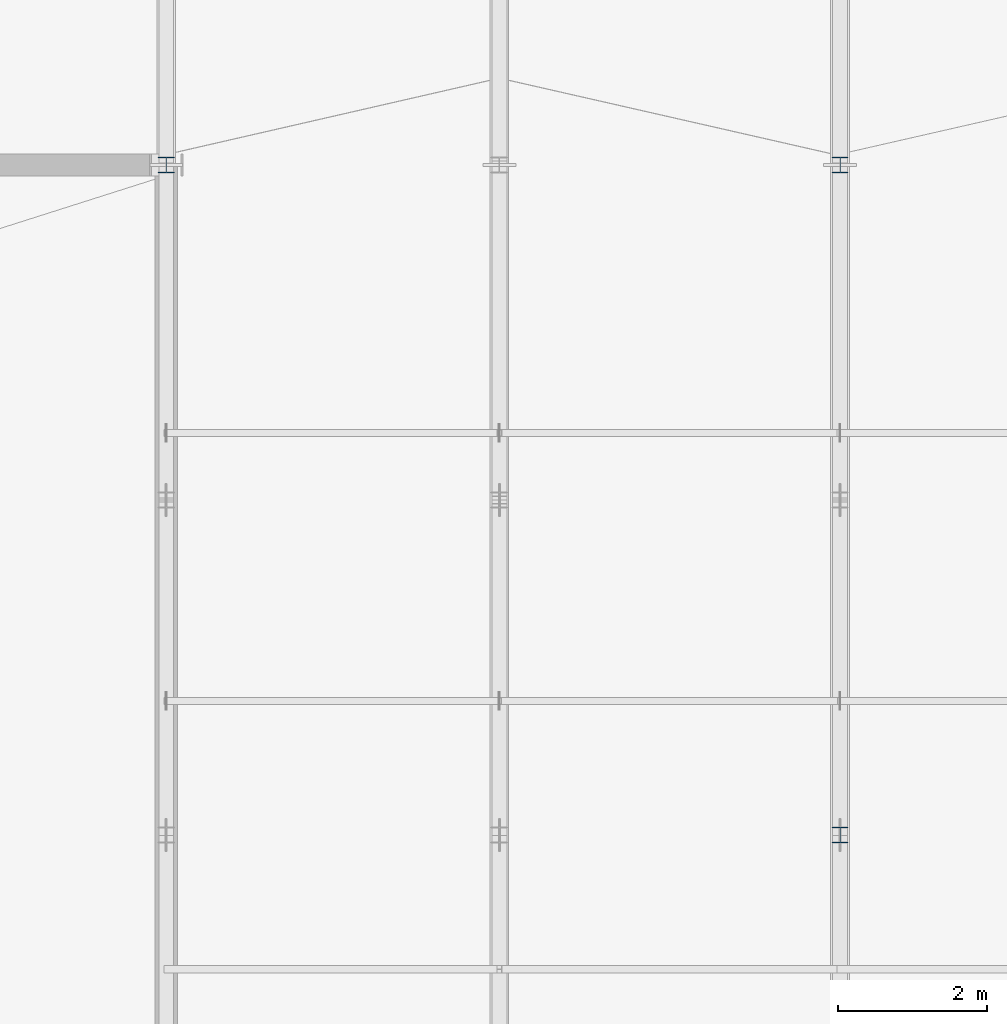
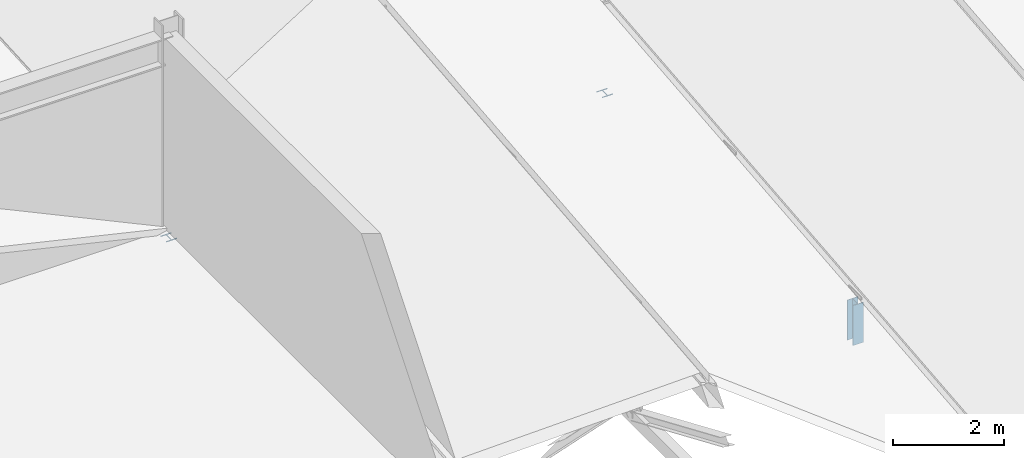
# One storey, part 95 of 142: 3 members.
"""IFC4 building model written with IfcOpenShell, lengths in metres."""

from ifc_helpers import new_model, si_unit, direction, frame, origin, origin_2d, place, context, subcontext, project, spatial, i_section, extrude, material, material_profile, profile_set, type_object, element, save


model = new_model("IFC4")

# Units and contexts
model_context = context("Model", 3, precision=1e-05, world=origin(), true_north=direction((0.0, 1.0)))
body_context = subcontext(model_context, "Body", "Model", "MODEL_VIEW")
ifc_project = project(units=[si_unit("LENGTHUNIT", "METRE"), si_unit("AREAUNIT", "SQUARE_METRE"), si_unit("VOLUMEUNIT", "CUBIC_METRE"), si_unit("PLANEANGLEUNIT", "RADIAN"), si_unit("MASSUNIT", "GRAM", prefix="KILO")], contexts=[model_context])

# Site, building, storey
site_placement = place(None, origin())
site = spatial("IfcSite", under=ifc_project, at=site_placement, CompositionType="ELEMENT")
building_placement = place(site_placement, origin())
building = spatial("IfcBuilding", under=site, at=building_placement, Name="Montelvaro Courts of Justice", CompositionType="ELEMENT")
storey_placement = place(building_placement, frame((0.0, 0.0, 14.39990234375)))
storey = spatial("IfcBuildingStorey", under=building, at=storey_placement, Name="L03", CompositionType="ELEMENT", Elevation=14.39990234375)

# Members
ifc_material = material(Name="Steel S355", Category="steel")
ifc_material_profile = material_profile(ifc_material, i_section(OverallWidth=0.219970703125, OverallDepth=0.2099609375, WebThickness=0.007080078125, FlangeThickness=0.010986328125, at=origin_2d()), Name="HEA 220")
ifc_profile_set = profile_set([ifc_material_profile], Name="Steel S355")
member_type = type_object("IfcMemberType", Name="Mem_HEA220_Post", PredefinedType="POST", material=ifc_profile_set)
for number, where, z_axis, x_axis, name in (
    (1, (72.0, 42.0, -0.2998046875), (0.0, 0.0, -1.0), (1.0, 0.0, 0.0), "Roof Truss Post MP-03 ROOF-PASSAGE-VTR03-V0"),
    (2, (81.050048828125, 42.0, -0.2998046875), (0.0, 0.0, -1.0), (1.0, 0.0, 0.0), "Roof Truss Post MP-03 ROOF-PASSAGE-VTR04-V0"),
):
    element("IfcMember", number, at=place(storey_placement, frame(where, z_axis=z_axis, x_axis=x_axis)), inside=storey, type_object=member_type, Name=name, PredefinedType="POST", context=body_context, shape_type="SweptSolid", body=[
        extrude(i_section(OverallWidth=0.219970703125, OverallDepth=0.2099609375, WebThickness=0.007080078125, FlangeThickness=0.010986328125, at=origin_2d()), origin(), (0.0, 0.0, 1.0), 0.02001953125),
    ])
member_placement = place(storey_placement, frame((81.050048828125, 33.0, -0.2998046875), z_axis=(0.0, 0.0, 1.0), x_axis=(1.0, 0.0, 0.0)))
element("IfcMember", 3, at=member_placement, inside=storey, type_object=member_type, Name="Roof Truss Post MP-03 ROOF-PASSAGE-S-VTR02-V2", PredefinedType="POST", context=body_context, shape_type="SweptSolid", body=[
    extrude(i_section(OverallWidth=0.219970703125, OverallDepth=0.2099609375, WebThickness=0.007080078125, FlangeThickness=0.010986328125, at=origin_2d()), origin(), (0.0, 0.0, 1.0), 0.8798828125),
])

save(model, "model.ifc")
